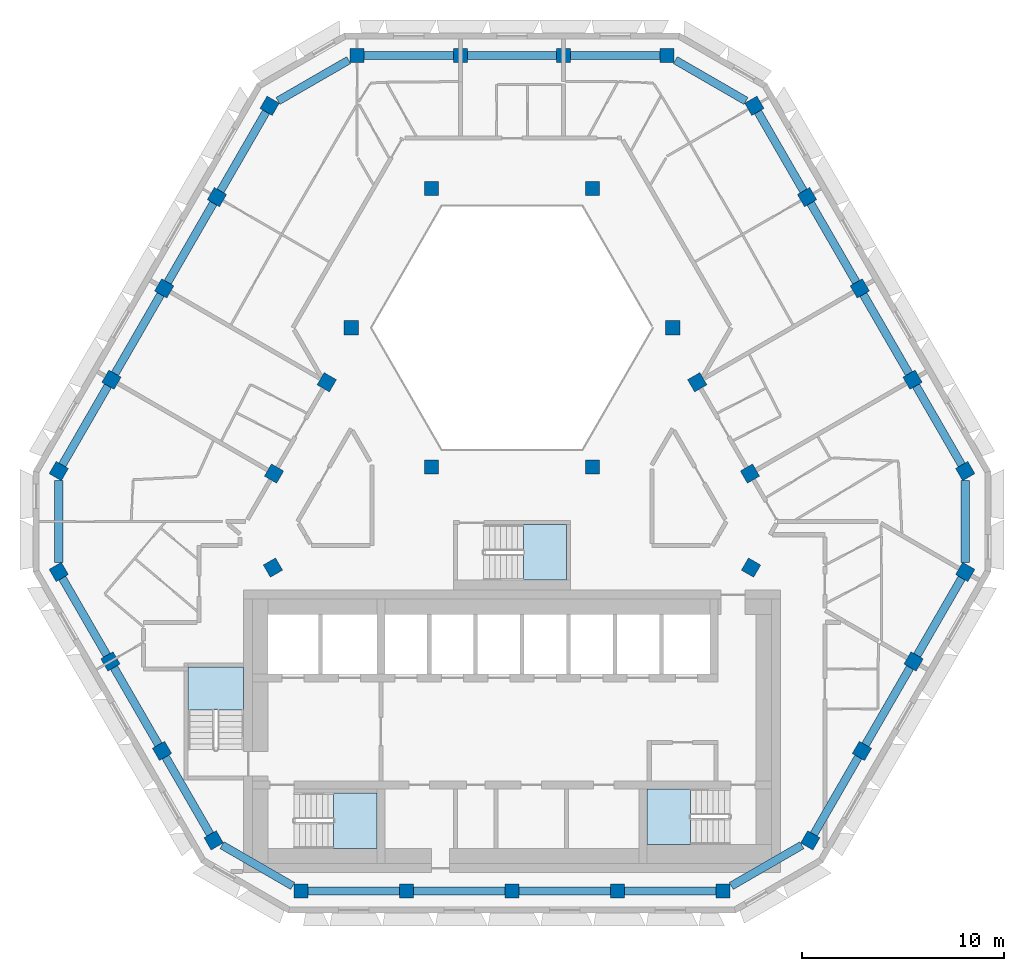
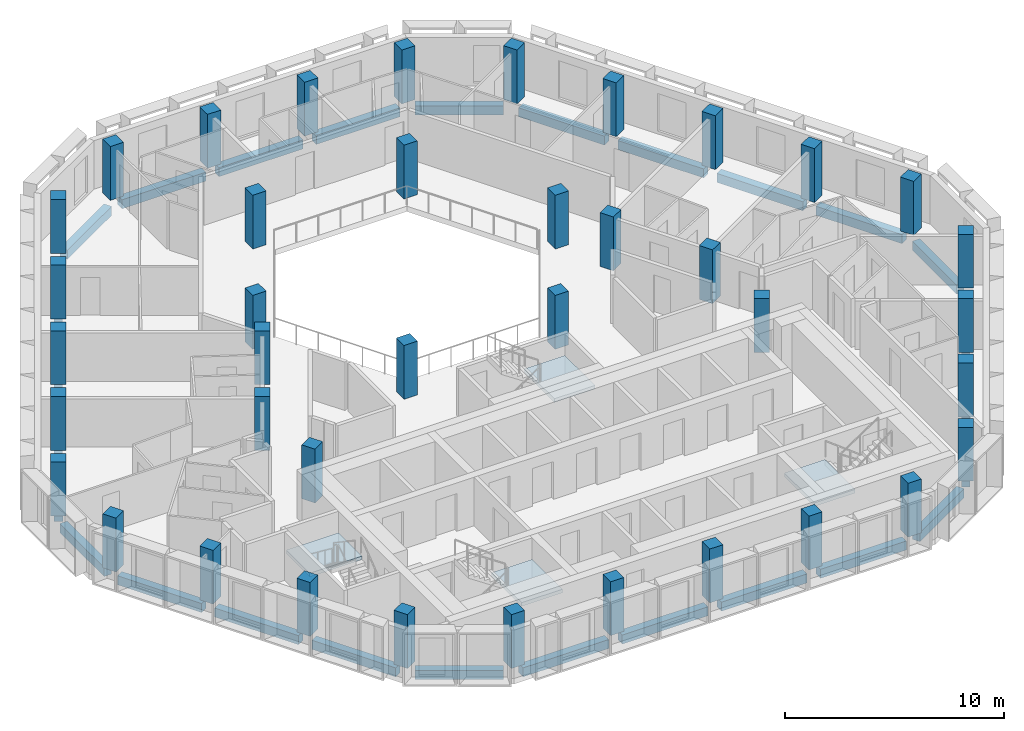
# One storey, part 1 of 15: 39 columns, 27 beams, 4 slabs, 4 elements without a shape of their own.
"""IFC4 building model written with IfcOpenShell, lengths in metres."""

from ifc_helpers import new_model, si_unit, direction, frame, origin, origin_2d, place, context, subcontext, project, spatial, polyline, rectangle, outline, extrude, material, layer, layer_set, material_profile, profile_set, type_object, element, aggregate, save


model = new_model("IFC4")

# Units and contexts
model_context = context("Model", 3, precision=1e-05, world=origin(), true_north=direction((0.0, 1.0)))
body_context = subcontext(model_context, "Body", "Model", "MODEL_VIEW")
ifc_project = project(units=[si_unit("LENGTHUNIT", "METRE"), si_unit("AREAUNIT", "SQUARE_METRE"), si_unit("VOLUMEUNIT", "CUBIC_METRE"), si_unit("PLANEANGLEUNIT", "RADIAN"), si_unit("MASSUNIT", "GRAM", prefix="KILO")], contexts=[model_context])

# Site, building, storey
site_placement = place(None, origin())
site = spatial("IfcSite", under=ifc_project, at=site_placement, CompositionType="ELEMENT")
building_placement = place(site_placement, origin())
building = spatial("IfcBuilding", under=site, at=building_placement, Name="Beryl Residences", CompositionType="ELEMENT")
storey_placement = place(building_placement, frame((0.0, 0.0, 217.800048828125)))
storey = spatial("IfcBuildingStorey", under=building, at=storey_placement, Name="L67", CompositionType="ELEMENT", Elevation=217.800048828125)

# Columns
ifc_material_1 = material(Name="Concrete C50/60", Category="concrete")
ifc_material_profile_1 = material_profile(ifc_material_1, rectangle(XDim=0.699951171875, YDim=0.699951171875, at=origin_2d()))
ifc_profile_set_1 = profile_set([ifc_material_profile_1], Name="Concrete C50/60")
column_type_1 = type_object("IfcColumnType", Name="C5 tube column 700 x 700 C50/60", PredefinedType="COLUMN", material=ifc_profile_set_1)
for number, where, z_axis, x_axis, name in (
    (1, (7.678955078125, 21.5, 0.0), (0.0, 0.0, 1.0), (-1.0, 0.0, 0.0), "C5-N1 L67"),
    (2, (2.56005859375, 21.5, 0.0), (0.0, 0.0, 1.0), (-1.0, 0.0, 0.0), "C5-N2 L67"),
    (3, (-2.55908203125, 21.5, 0.0), (0.0, 0.0, 1.0), (-1.0, 0.0, 0.0), "C5-N3 L67"),
    (4, (-7.677978515625, 21.5, 0.0), (0.0, 0.0, 1.0), (-1.0, 0.0, 0.0), "C5-N4 L67"),
    (5, (-12.009033203125, 19.0, 0.0), (0.0, 0.0, 1.0), (-0.499969769706, -0.866042856549, 0.0), "C5-NW1 L67"),
    (6, (-14.62109375, 14.47509765625, 0.0), (0.0, 0.0, 1.0), (-0.499969769706, -0.866042856549, 0.0), "C5-NW2 L67"),
    (7, (-17.23291015625, 9.949951171875, 0.0), (0.0, 0.0, 1.0), (-0.499969769706, -0.866042856549, 0.0), "C5-NW3 L67"),
    (8, (-19.845947265625, 5.425048828125, 0.0), (0.0, 0.0, 1.0), (-0.499969769706, -0.866042856549, 0.0), "C5-NW4 L67"),
    (9, (-22.4580078125, 0.89990234375, 0.0), (0.0, 0.0, 1.0), (-0.499969769706, -0.866042856549, 0.0), "C5-NW5 L67"),
    (10, (-22.458984375, -4.10009765625, 0.0), (0.0, 0.0, 1.0), (0.499984884929, -0.866034130299, 0.0), "C5-SW1 L67"),
    (11, (-19.89892578125, -8.532958984375, 0.0), (0.0, 0.0, 1.0), (0.499984884929, -0.866034130299, 0.0), "C5-SW2 L67"),
    (12, (-17.340087890625, -12.966064453125, 0.0), (0.0, 0.0, 1.0), (0.499984884929, -0.866034130299, 0.0), "C5-SW3 L67"),
    (13, (-14.781005859375, -17.39892578125, 0.0), (0.0, 0.0, 1.0), (0.499984884929, -0.866034130299, 0.0), "C5-SW4 L67"),
    (14, (-10.449951171875, -19.89990234375, 0.0), (0.0, 0.0, 1.0), (1.0, 0.0, 0.0), "C5-S1 L67"),
    (15, (-5.22509765625, -19.89990234375, 0.0), (0.0, 0.0, 1.0), (1.0, 0.0, 0.0), "C5-S2 L67"),
    (16, (0.0, -19.89990234375, 0.0), (0.0, 0.0, 1.0), (1.0, 0.0, 0.0), "C5-S3 L67"),
    (17, (5.22509765625, -19.89990234375, 0.0), (0.0, 0.0, 1.0), (1.0, 0.0, 0.0), "C5-S4 L67"),
    (18, (10.449951171875, -19.89990234375, 0.0), (0.0, 0.0, 1.0), (1.0, 0.0, 0.0), "C5-S5 L67"),
    (19, (14.780029296875, -17.39990234375, 0.0), (0.0, 0.0, 1.0), (0.499984884929, 0.866034130299, 0.0), "C5-SE1 L67"),
    (20, (17.339111328125, -12.967041015625, 0.0), (0.0, 0.0, 1.0), (0.499984884929, 0.866034130299, 0.0), "C5-SE2 L67"),
    (21, (19.89892578125, -8.533935546875, 0.0), (0.0, 0.0, 1.0), (0.499984884929, 0.866034130299, 0.0), "C5-SE3 L67"),
    (22, (22.4580078125, -4.10107421875, 0.0), (0.0, 0.0, 1.0), (0.499984884929, 0.866034130299, 0.0), "C5-SE4 L67"),
    (23, (22.4580078125, 0.89990234375, 0.0), (0.0, 0.0, 1.0), (-0.499969769706, 0.866042856549, 0.0), "C5-NE1 L67"),
    (24, (19.845947265625, 5.425048828125, 0.0), (0.0, 0.0, 1.0), (-0.499969769706, 0.866042856549, 0.0), "C5-NE2 L67"),
    (25, (17.23291015625, 9.949951171875, 0.0), (0.0, 0.0, 1.0), (-0.499969769706, 0.866042856549, 0.0), "C5-NE3 L67"),
    (26, (14.62109375, 14.47509765625, 0.0), (0.0, 0.0, 1.0), (-0.499969769706, 0.866042856549, 0.0), "C5-NE4 L67"),
    (27, (12.009033203125, 19.0, 0.0), (0.0, 0.0, 1.0), (-0.499969769706, 0.866042856549, 0.0), "C5-NE5 L67"),
):
    element("IfcColumn", number, at=place(storey_placement, frame(where, z_axis=z_axis, x_axis=x_axis)), inside=storey, type_object=column_type_1, Name=name, PredefinedType="COLUMN", context=body_context, shape_type="SweptSolid", body=[
        extrude(rectangle(XDim=0.699951171875, YDim=0.699951171875, at=origin_2d()), origin(), (0.0, 0.0, 1.0), 3.0),
    ])
ifc_material_2 = material(Name="Concrete C50/60", Category="concrete")
ifc_material_profile_2 = material_profile(ifc_material_2, rectangle(XDim=0.699951171875, YDim=0.699951171875, at=origin_2d()))
ifc_profile_set_2 = profile_set([ifc_material_profile_2], Name="Concrete C50/60")
column_type_2 = type_object("IfcColumnType", Name="IC5 interior column 700 x 700 C50/60", PredefinedType="COLUMN", material=ifc_profile_set_2)
for number, where, z_axis, x_axis, name in (
    (28, (-11.844970703125, -3.883056640625, 0.0), (0.0, 0.0, 1.0), (0.499984884929, -0.866034130299, 0.0), "IC5-M01 L67"),
    (29, (11.844970703125, -3.884033203125, 0.0), (0.0, 0.0, 1.0), (0.499984884929, 0.866034130299, 0.0), "IC5-M02 L67"),
    (30, (11.7919921875, 0.77490234375, 0.0), (0.0, 0.0, 1.0), (-0.499969769706, 0.866042856549, 0.0), "IC5-M03 L67"),
    (31, (3.98388671875, 1.10009765625, 0.0), (0.0, 0.0, 1.0), (1.0, 0.0, 0.0), "IC5-A04 L67"),
    (32, (9.178955078125, 5.300048828125, 0.0), (0.0, 0.0, 1.0), (-0.499969769706, 0.866042856549, 0.0), "IC5-M05 L67"),
    (33, (7.967041015625, 8.0, 0.0), (0.0, 0.0, 1.0), (1.0, 0.0, 0.0), "IC5-A06 L67"),
    (34, (3.98388671875, 14.89990234375, 0.0), (0.0, 0.0, 1.0), (1.0, 0.0, 0.0), "IC5-A07 L67"),
    (35, (-3.98388671875, 14.89990234375, 0.0), (0.0, 0.0, 1.0), (1.0, 0.0, 0.0), "IC5-A08 L67"),
    (36, (-7.967041015625, 8.0, 0.0), (0.0, 0.0, 1.0), (1.0, 0.0, 0.0), "IC5-A09 L67"),
    (37, (-9.178955078125, 5.300048828125, 0.0), (0.0, 0.0, 1.0), (-0.499969769706, -0.866042856549, 0.0), "IC5-M10 L67"),
    (38, (-3.98388671875, 1.10009765625, 0.0), (0.0, 0.0, 1.0), (1.0, 0.0, 0.0), "IC5-A11 L67"),
    (39, (-11.7919921875, 0.77490234375, 0.0), (0.0, 0.0, 1.0), (-0.499969769706, -0.866042856549, 0.0), "IC5-M12 L67"),
):
    element("IfcColumn", number, at=place(storey_placement, frame(where, z_axis=z_axis, x_axis=x_axis)), inside=storey, type_object=column_type_2, Name=name, PredefinedType="COLUMN", context=body_context, shape_type="SweptSolid", body=[
        extrude(rectangle(XDim=0.699951171875, YDim=0.699951171875, at=origin_2d()), origin(), (0.0, 0.0, 1.0), 3.0),
    ])

# Beams
ifc_material_3 = material(Name="Concrete C50/60", Category="concrete")
ifc_material_profile_3 = material_profile(ifc_material_3, rectangle(XDim=0.39990234375, YDim=0.5, at=origin_2d()))
ifc_profile_set_3 = profile_set([ifc_material_profile_3], Name="Concrete C50/60")
beam_type = type_object("IfcBeamType", Name="SB5 spandrel beam 400 x 500 C50/60", PredefinedType="SPANDREL", material=ifc_profile_set_3)
beam_1_placement = place(storey_placement, frame((7.3291015625, 21.5, -0.550048828125), z_axis=(-1.0, 0.0, 0.0), x_axis=(0.0, -1.0, 0.0)))
element("IfcBeam", 40, at=beam_1_placement, inside=storey, type_object=beam_type, Name="SB5 L67 N-0", PredefinedType="SPANDREL", context=body_context, shape_type="SweptSolid", body=[
    extrude(rectangle(XDim=0.39990234375, YDim=0.5, at=origin_2d()), origin(), (0.0, 0.0, 1.0), 4.419189453125),
])
for number, where, z_axis, x_axis, name in (
    (41, (2.2099609375, 21.5, -0.550048828125), (-1.0, 0.0, 0.0), (0.0, -1.0, 0.0), "SB5 L67 N-1"),
    (42, (-2.908935546875, 21.5, -0.550048828125), (-1.0, 0.0, 0.0), (0.0, -1.0, 0.0), "SB5 L67 N-2"),
):
    element("IfcBeam", number, at=place(storey_placement, frame(where, z_axis=z_axis, x_axis=x_axis)), inside=storey, type_object=beam_type, Name=name, PredefinedType="SPANDREL", context=body_context, shape_type="SweptSolid", body=[
        extrude(rectangle(XDim=0.39990234375, YDim=0.5, at=origin_2d()), origin(), (0.0, 0.0, 1.0), 4.4189453125),
    ])
beam_2_placement = place(storey_placement, frame((-8.092041015625, 21.260986328125, -0.550048828125), z_axis=(-0.866073013527, -0.499917528438, 0.0), x_axis=(0.499917528438, -0.866073013527, 0.0)))
element("IfcBeam", 43, at=beam_2_placement, inside=storey, type_object=beam_type, Name="SB5 L67 N-3", PredefinedType="SPANDREL", context=body_context, shape_type="SweptSolid", body=[
    extrude(rectangle(XDim=0.39990234375, YDim=0.5, at=origin_2d()), origin(), (0.0, 0.0, 1.0), 4.044677734375),
])
beam_3_placement = place(storey_placement, frame((-12.18408203125, 18.697021484375, -0.550048828125), z_axis=(-0.499893710643, -0.866086761277, 0.0), x_axis=(0.866086761277, -0.499893710643, 0.0)))
element("IfcBeam", 44, at=beam_3_placement, inside=storey, type_object=beam_type, Name="SB5 L67 NW-0", PredefinedType="SPANDREL", context=body_context, shape_type="SweptSolid", body=[
    extrude(rectangle(XDim=0.39990234375, YDim=0.5, at=origin_2d()), origin(), (0.0, 0.0, 1.0), 4.52490234375),
])
beam_4_placement = place(storey_placement, frame((-14.7958984375, 14.172119140625, -0.550048828125), z_axis=(-0.499910821401, -0.866076884951, 0.0), x_axis=(0.866076884951, -0.499910821401, 0.0)))
element("IfcBeam", 45, at=beam_4_placement, inside=storey, type_object=beam_type, Name="SB5 L67 NW-1", PredefinedType="SPANDREL", context=body_context, shape_type="SweptSolid", body=[
    extrude(rectangle(XDim=0.39990234375, YDim=0.5, at=origin_2d()), origin(), (0.0, 0.0, 1.0), 4.525146484375),
])
beam_5_placement = place(storey_placement, frame((-17.407958984375, 9.64697265625, -0.550048828125), z_axis=(-0.500055572588, -0.865993316558, 0.0), x_axis=(0.865993316558, -0.500055572588, 0.0)))
element("IfcBeam", 46, at=beam_5_placement, inside=storey, type_object=beam_type, Name="SB5 L67 NW-2", PredefinedType="SPANDREL", context=body_context, shape_type="SweptSolid", body=[
    extrude(rectangle(XDim=0.39990234375, YDim=0.5, at=origin_2d()), origin(), (0.0, 0.0, 1.0), 4.525390625),
])
beam_6_placement = place(storey_placement, frame((-20.02099609375, 5.1220703125, -0.550048828125), z_axis=(-0.499870351634, -0.866100243365, 0.0), x_axis=(0.866100243365, -0.499870351634, 0.0)))
element("IfcBeam", 47, at=beam_6_placement, inside=storey, type_object=beam_type, Name="SB5 L67 NW-3", PredefinedType="SPANDREL", context=body_context, shape_type="SweptSolid", body=[
    extrude(rectangle(XDim=0.39990234375, YDim=0.5, at=origin_2d()), origin(), (0.0, 0.0, 1.0), 4.525146484375),
])
beam_7_placement = place(storey_placement, frame((-22.4580078125, 0.422119140625, -0.550048828125), z_axis=(-0.000241472978, -0.999999970845, 0.0), x_axis=(0.999999970845, -0.000241472978, 0.0)))
element("IfcBeam", 48, at=beam_7_placement, inside=storey, type_object=beam_type, Name="SB5 L67 NW-4", PredefinedType="SPANDREL", context=body_context, shape_type="SweptSolid", body=[
    extrude(rectangle(XDim=0.39990234375, YDim=0.5, at=origin_2d()), origin(), (0.0, 0.0, 1.0), 4.044189453125),
])
beam_8_placement = place(storey_placement, frame((-22.283935546875, -4.403076171875, -0.550048828125), z_axis=(0.500084296963, -0.86597672944, 0.0), x_axis=(0.86597672944, 0.500084296963, 0.0)))
element("IfcBeam", 49, at=beam_8_placement, inside=storey, type_object=beam_type, Name="SB5 L67 SW-0", PredefinedType="SPANDREL", context=body_context, shape_type="SweptSolid", body=[
    extrude(rectangle(XDim=0.39990234375, YDim=0.5, at=origin_2d()), origin(), (0.0, 0.0, 1.0), 4.419189453125),
])
beam_9_placement = place(storey_placement, frame((-19.72412109375, -8.8359375, -0.550048828125), z_axis=(0.49993607075, -0.866062310208, 0.0), x_axis=(0.866062310208, 0.49993607075, 0.0)))
element("IfcBeam", 50, at=beam_9_placement, inside=storey, type_object=beam_type, Name="SB5 L67 SW-1", PredefinedType="SPANDREL", context=body_context, shape_type="SweptSolid", body=[
    extrude(rectangle(XDim=0.39990234375, YDim=0.5, at=origin_2d()), origin(), (0.0, 0.0, 1.0), 4.4189453125),
])
beam_10_placement = place(storey_placement, frame((-17.1650390625, -13.26904296875, -0.550048828125), z_axis=(0.499918550948, -0.86607242331, 0.0), x_axis=(0.86607242331, 0.499918550948, 0.0)))
element("IfcBeam", 51, at=beam_10_placement, inside=storey, type_object=beam_type, Name="SB5 L67 SW-2", PredefinedType="SPANDREL", context=body_context, shape_type="SweptSolid", body=[
    extrude(rectangle(XDim=0.39990234375, YDim=0.5, at=origin_2d()), origin(), (0.0, 0.0, 1.0), 4.418701171875),
])
beam_11_placement = place(storey_placement, frame((-14.366943359375, -17.637939453125, -0.550048828125), z_axis=(0.865968468779, -0.500098601359, 0.0), x_axis=(0.500098601359, 0.865968468779, 0.0)))
element("IfcBeam", 52, at=beam_11_placement, inside=storey, type_object=beam_type, Name="SB5 L67 SW-3", PredefinedType="SPANDREL", context=body_context, shape_type="SweptSolid", body=[
    extrude(rectangle(XDim=0.39990234375, YDim=0.5, at=origin_2d()), origin(), (0.0, 0.0, 1.0), 4.045166015625),
])
beam_12_placement = place(storey_placement, frame((-10.10009765625, -19.89990234375, -0.550048828125), z_axis=(1.0, 0.0, 0.0), x_axis=(0.0, 1.0, 0.0)))
element("IfcBeam", 53, at=beam_12_placement, inside=storey, type_object=beam_type, Name="SB5 L67 S-0", PredefinedType="SPANDREL", context=body_context, shape_type="SweptSolid", body=[
    extrude(rectangle(XDim=0.39990234375, YDim=0.5, at=origin_2d()), origin(), (0.0, 0.0, 1.0), 4.525146484375),
])
for number, where, z_axis, x_axis, name in (
    (54, (-4.875, -19.89990234375, -0.550048828125), (1.0, 0.0, 0.0), (0.0, 1.0, 0.0), "SB5 L67 S-1"),
    (55, (0.35009765625, -19.89990234375, -0.550048828125), (1.0, 0.0, 0.0), (0.0, 1.0, 0.0), "SB5 L67 S-2"),
):
    element("IfcBeam", number, at=place(storey_placement, frame(where, z_axis=z_axis, x_axis=x_axis)), inside=storey, type_object=beam_type, Name=name, PredefinedType="SPANDREL", context=body_context, shape_type="SweptSolid", body=[
        extrude(rectangle(XDim=0.39990234375, YDim=0.5, at=origin_2d()), origin(), (0.0, 0.0, 1.0), 4.52490234375),
    ])
beam_13_placement = place(storey_placement, frame((5.574951171875, -19.89990234375, -0.550048828125), z_axis=(1.0, 0.0, 0.0), x_axis=(0.0, 1.0, 0.0)))
element("IfcBeam", 56, at=beam_13_placement, inside=storey, type_object=beam_type, Name="SB5 L67 S-3", PredefinedType="SPANDREL", context=body_context, shape_type="SweptSolid", body=[
    extrude(rectangle(XDim=0.39990234375, YDim=0.5, at=origin_2d()), origin(), (0.0, 0.0, 1.0), 4.525146484375),
])
beam_14_placement = place(storey_placement, frame((10.864013671875, -19.660888671875, -0.550048828125), z_axis=(0.866012652573, 0.500022085096, 0.0), x_axis=(-0.500022085096, 0.866012652573, 0.0)))
element("IfcBeam", 57, at=beam_14_placement, inside=storey, type_object=beam_type, Name="SB5 L67 S-4", PredefinedType="SPANDREL", context=body_context, shape_type="SweptSolid", body=[
    extrude(rectangle(XDim=0.39990234375, YDim=0.5, at=origin_2d()), origin(), (0.0, 0.0, 1.0), 4.043701171875),
])
beam_15_placement = place(storey_placement, frame((14.955078125, -17.096923828125, -0.550048828125), z_axis=(0.499918550948, 0.86607242331, 0.0), x_axis=(-0.86607242331, 0.499918550948, 0.0)))
element("IfcBeam", 58, at=beam_15_placement, inside=storey, type_object=beam_type, Name="SB5 L67 SE-0", PredefinedType="SPANDREL", context=body_context, shape_type="SweptSolid", body=[
    extrude(rectangle(XDim=0.39990234375, YDim=0.5, at=origin_2d()), origin(), (0.0, 0.0, 1.0), 4.418701171875),
])
beam_16_placement = place(storey_placement, frame((17.513916015625, -12.6640625, -0.550048828125), z_axis=(0.500101800387, 0.865966621326, 0.0), x_axis=(-0.865966621326, 0.500101800387, 0.0)))
element("IfcBeam", 59, at=beam_16_placement, inside=storey, type_object=beam_type, Name="SB5 L67 SE-1", PredefinedType="SPANDREL", context=body_context, shape_type="SweptSolid", body=[
    extrude(rectangle(XDim=0.39990234375, YDim=0.5, at=origin_2d()), origin(), (0.0, 0.0, 1.0), 4.41943359375),
])
beam_17_placement = place(storey_placement, frame((20.073974609375, -8.23095703125, -0.550048828125), z_axis=(0.499918550948, 0.86607242331, 0.0), x_axis=(-0.86607242331, 0.499918550948, 0.0)))
element("IfcBeam", 60, at=beam_17_placement, inside=storey, type_object=beam_type, Name="SB5 L67 SE-2", PredefinedType="SPANDREL", context=body_context, shape_type="SweptSolid", body=[
    extrude(rectangle(XDim=0.39990234375, YDim=0.5, at=origin_2d()), origin(), (0.0, 0.0, 1.0), 4.418701171875),
])
beam_18_placement = place(storey_placement, frame((22.4580078125, -3.623046875, -0.550048828125), z_axis=(0.0, 1.0, 0.0), x_axis=(-1.0, 0.0, 0.0)))
element("IfcBeam", 61, at=beam_18_placement, inside=storey, type_object=beam_type, Name="SB5 L67 SE-3", PredefinedType="SPANDREL", context=body_context, shape_type="SweptSolid", body=[
    extrude(rectangle(XDim=0.39990234375, YDim=0.5, at=origin_2d()), origin(), (0.0, 0.0, 1.0), 4.045166015625),
])
beam_19_placement = place(storey_placement, frame((22.282958984375, 1.202880859375, -0.550048828125), z_axis=(-0.499870351634, 0.866100243365, 0.0), x_axis=(-0.866100243365, -0.499870351634, 0.0)))
element("IfcBeam", 62, at=beam_19_placement, inside=storey, type_object=beam_type, Name="SB5 L67 NE-0", PredefinedType="SPANDREL", context=body_context, shape_type="SweptSolid", body=[
    extrude(rectangle(XDim=0.39990234375, YDim=0.5, at=origin_2d()), origin(), (0.0, 0.0, 1.0), 4.525146484375),
])
beam_20_placement = place(storey_placement, frame((19.6708984375, 5.72802734375, -0.550048828125), z_axis=(-0.500055572588, 0.865993316558, 0.0), x_axis=(-0.865993316558, -0.500055572588, 0.0)))
element("IfcBeam", 63, at=beam_20_placement, inside=storey, type_object=beam_type, Name="SB5 L67 NE-1", PredefinedType="SPANDREL", context=body_context, shape_type="SweptSolid", body=[
    extrude(rectangle(XDim=0.39990234375, YDim=0.5, at=origin_2d()), origin(), (0.0, 0.0, 1.0), 4.525390625),
])
beam_21_placement = place(storey_placement, frame((17.05810546875, 10.2529296875, -0.550048828125), z_axis=(-0.499910821401, 0.866076884951, 0.0), x_axis=(-0.866076884951, -0.499910821401, 0.0)))
element("IfcBeam", 64, at=beam_21_placement, inside=storey, type_object=beam_type, Name="SB5 L67 NE-2", PredefinedType="SPANDREL", context=body_context, shape_type="SweptSolid", body=[
    extrude(rectangle(XDim=0.39990234375, YDim=0.5, at=origin_2d()), origin(), (0.0, 0.0, 1.0), 4.525146484375),
])
beam_22_placement = place(storey_placement, frame((14.446044921875, 14.778076171875, -0.550048828125), z_axis=(-0.499893710643, 0.866086761277, 0.0), x_axis=(-0.866086761277, -0.499893710643, 0.0)))
element("IfcBeam", 65, at=beam_22_placement, inside=storey, type_object=beam_type, Name="SB5 L67 NE-3", PredefinedType="SPANDREL", context=body_context, shape_type="SweptSolid", body=[
    extrude(rectangle(XDim=0.39990234375, YDim=0.5, at=origin_2d()), origin(), (0.0, 0.0, 1.0), 4.52490234375),
])
beam_23_placement = place(storey_placement, frame((11.594970703125, 19.239013671875, -0.550048828125), z_axis=(-0.866012652573, 0.500022085096, 0.0), x_axis=(-0.500022085096, -0.866012652573, 0.0)))
element("IfcBeam", 66, at=beam_23_placement, inside=storey, type_object=beam_type, Name="SB5 L67 NE-4", PredefinedType="SPANDREL", context=body_context, shape_type="SweptSolid", body=[
    extrude(rectangle(XDim=0.39990234375, YDim=0.5, at=origin_2d()), origin(), (0.0, 0.0, 1.0), 4.043701171875),
])

# Stair, slab
ifc_material_4 = material(Name="Concrete C40/50", Category="concrete")
stair_type = type_object("IfcStairType", Name="ST1 protected exit stair, half-turn, 1300 mm flights", PredefinedType="HALF_TURN_STAIR", material=ifc_material_4)
stair_1_placement = place(storey_placement, origin())
stair_1 = element("IfcStair", 67, at=stair_1_placement, inside=storey, type_object=stair_type, Name="L67 PROTECTED EXIT STAIR ST-1", PredefinedType="HALF_TURN_STAIR")
ifc_material_5 = material(Name="Concrete C40/50", Category="concrete")
ifc_layer = layer(ifc_material_5, 0.199951171875)
ifc_layer_set = layer_set([ifc_layer], Name="SLD1 stair landing 200 mm")
slab_type = type_object("IfcSlabType", Name="SLD1 stair landing 200 mm", PredefinedType="LANDING", material=ifc_layer_set)
slab_1_placement = place(storey_placement, frame((0.0, 0.0, 1.300048828125)))
slab_1 = element("IfcSlab", 68, at=slab_1_placement, type_object=slab_type, Name="ST-1 landing 1", PredefinedType="LANDING", context=body_context, shape_type="SweptSolid", body=[
    extrude(outline(polyline([(-8.840087890625, -17.800048828125), (-6.699951171875, -17.800048828125), (-6.699951171875, -15.050048828125), (-8.840087890625, -15.050048828125), (-8.840087890625, -17.800048828125)])), origin(), (0.0, 0.0, 1.0), 0.199951171875),
])
aggregate(stair_1, [slab_1])

stair_2_placement = place(storey_placement, origin())
stair_2 = element("IfcStair", 69, at=stair_2_placement, inside=storey, type_object=stair_type, Name="L67 PROTECTED EXIT STAIR ST-2", PredefinedType="HALF_TURN_STAIR")
slab_2_placement = place(storey_placement, frame((0.0, 0.0, 1.300048828125)))
slab_2 = element("IfcSlab", 70, at=slab_2_placement, type_object=slab_type, Name="ST-2 landing 1", PredefinedType="LANDING", context=body_context, shape_type="SweptSolid", body=[
    extrude(outline(polyline([(-13.300048828125, -10.93994140625), (-13.300048828125, -8.800048828125), (-16.050048828125, -8.800048828125), (-16.050048828125, -10.93994140625), (-13.300048828125, -10.93994140625)])), origin(), (0.0, 0.0, 1.0), 0.199951171875),
])
aggregate(stair_2, [slab_2])

stair_3_placement = place(storey_placement, origin())
stair_3 = element("IfcStair", 71, at=stair_3_placement, inside=storey, type_object=stair_type, Name="L67 PROTECTED EXIT STAIR ST-3", PredefinedType="HALF_TURN_STAIR")
slab_3_placement = place(storey_placement, frame((0.0, 0.0, 1.300048828125)))
slab_3 = element("IfcSlab", 72, at=slab_3_placement, type_object=slab_type, Name="ST-3 landing 1", PredefinedType="LANDING", context=body_context, shape_type="SweptSolid", body=[
    extrude(outline(polyline([(8.840087890625, -14.85009765625), (6.699951171875, -14.85009765625), (6.699951171875, -17.60009765625), (8.840087890625, -17.60009765625), (8.840087890625, -14.85009765625)])), origin(), (0.0, 0.0, 1.0), 0.199951171875),
])
aggregate(stair_3, [slab_3])

stair_4_placement = place(storey_placement, origin())
stair_4 = element("IfcStair", 73, at=stair_4_placement, inside=storey, type_object=stair_type, Name="L67 PROTECTED EXIT STAIR ST-4", PredefinedType="HALF_TURN_STAIR")
slab_4_placement = place(storey_placement, frame((0.0, 0.0, 1.300048828125)))
slab_4 = element("IfcSlab", 74, at=slab_4_placement, type_object=slab_type, Name="ST-4 landing 1", PredefinedType="LANDING", context=body_context, shape_type="SweptSolid", body=[
    extrude(outline(polyline([(0.56005859375, -4.5), (2.699951171875, -4.5), (2.699951171875, -1.75), (0.56005859375, -1.75), (0.56005859375, -4.5)])), origin(), (0.0, 0.0, 1.0), 0.199951171875),
])
aggregate(stair_4, [slab_4])

save(model, "model.ifc")
